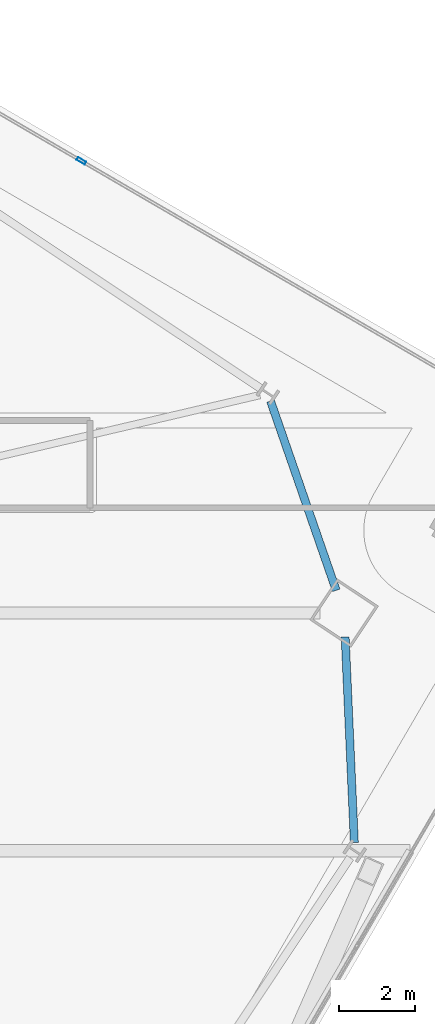
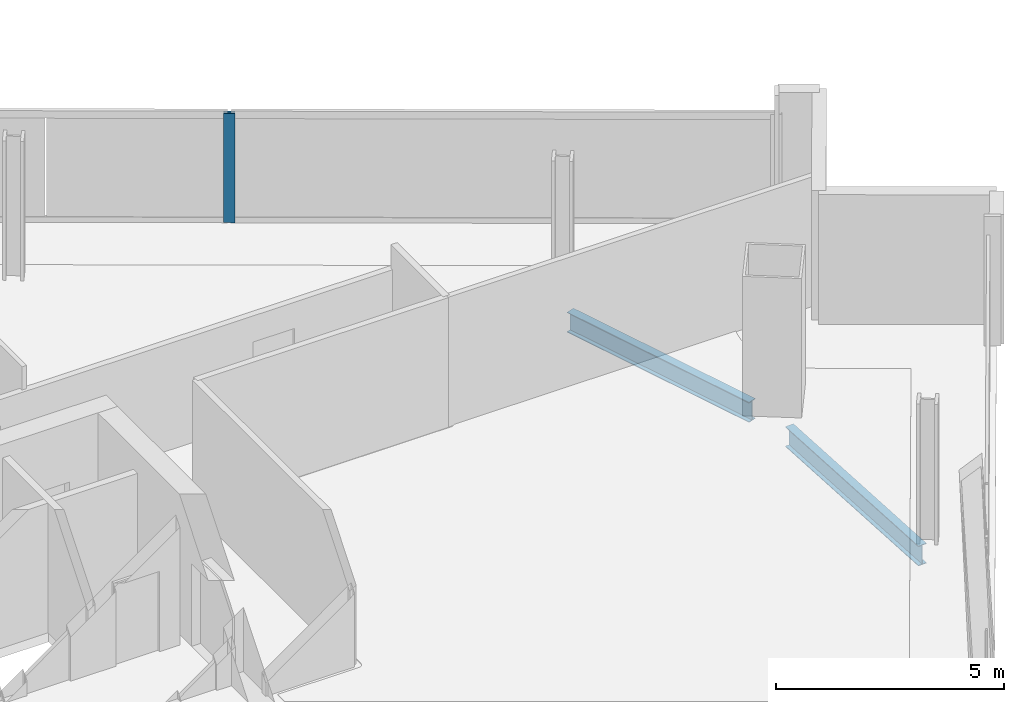
# One storey, part 17 of 29: 2 beams, 1 member, 1 element without a shape of its own.
"""IFC4 building model written with IfcOpenShell, lengths in metres."""

from ifc_helpers import new_model, si_unit, direction, frame, origin, origin_2d, place, context, subcontext, project, spatial, hollow_rectangle, i_section, extrude, material, material_profile, profile_set, type_object, element, aggregate, save


model = new_model("IFC4")

# Units and contexts
model_context = context("Model", 3, precision=1e-05, world=origin(), true_north=direction((0.0, 1.0)))
body_context = subcontext(model_context, "Body", "Model", "MODEL_VIEW")
ifc_project = project(units=[si_unit("LENGTHUNIT", "METRE"), si_unit("AREAUNIT", "SQUARE_METRE"), si_unit("VOLUMEUNIT", "CUBIC_METRE"), si_unit("PLANEANGLEUNIT", "RADIAN"), si_unit("MASSUNIT", "GRAM", prefix="KILO")], contexts=[model_context])

# Site, building, storey
site_placement = place(None, origin())
site = spatial("IfcSite", under=ifc_project, at=site_placement, CompositionType="ELEMENT")
building_placement = place(site_placement, origin())
building = spatial("IfcBuilding", under=site, at=building_placement, Name="Haldenkirk Collegiate Tower", CompositionType="ELEMENT")
storey_placement = place(building_placement, frame((0.0, 0.0, 228.449951171875)))
storey = spatial("IfcBuildingStorey", under=building, at=storey_placement, Name="L57", CompositionType="ELEMENT", Elevation=228.449951171875)

# Beams
ifc_material_1 = material(Name="Steel ASTM A992 Grade 50", Category="steel")
ifc_material_profile_1 = material_profile(ifc_material_1, i_section(OverallWidth=0.2099609375, OverallDepth=0.537109375, WebThickness=0.010986328125, FlangeThickness=0.017333984375, at=origin_2d()), Name="W21X68")
ifc_profile_set_1 = profile_set([ifc_material_profile_1], Name="Steel ASTM A992 Grade 50")
beam_type = type_object("IfcBeamType", Name="BM-SPANDREL-W21X68", PredefinedType="SPANDREL", material=ifc_profile_set_1)
beam_1_placement = place(storey_placement, frame((60.756103515625, 25.34326171875, -0.54833984375), z_axis=(-0.044622535616, 0.999003918569, 0.0), x_axis=(-0.999003918569, -0.044622535616, 0.0)))
element("IfcBeam", 1, at=beam_1_placement, inside=storey, type_object=beam_type, Name="L57 perimeter spandrel beam 04", PredefinedType="SPANDREL", context=body_context, shape_type="SweptSolid", body=[
    extrude(i_section(OverallWidth=0.2099609375, OverallDepth=0.537109375, WebThickness=0.010986328125, FlangeThickness=0.017333984375, at=origin_2d()), origin(), (0.0, 0.0, 1.0), 5.41650390625),
])
beam_2_placement = place(storey_placement, frame((60.27978515625, 31.97900390625, -0.54833984375), z_axis=(-0.327807295579, 0.944744609387, 0.0), x_axis=(-0.944744609387, -0.327807295579, 0.0)))
element("IfcBeam", 2, at=beam_2_placement, inside=storey, type_object=beam_type, Name="L57 perimeter spandrel beam 05", PredefinedType="SPANDREL", context=body_context, shape_type="SweptSolid", body=[
    extrude(i_section(OverallWidth=0.2099609375, OverallDepth=0.537109375, WebThickness=0.010986328125, FlangeThickness=0.017333984375, at=origin_2d()), origin(), (0.0, 0.0, 1.0), 5.270751953125),
])

# Curtain wall, member
ifc_material_2 = material(Name="Anodised architectural bronze aluminium", Category="aluminium")
curtain_wall_type = type_object("IfcCurtainWallType", Name="CW-SYS1B-CONVEX-HI", PredefinedType="USERDEFINED", material=ifc_material_2)
curtain_wall_placement = place(storey_placement, origin())
curtain_wall = element("IfcCurtainWall", 3, at=curtain_wall_placement, inside=storey, type_object=curtain_wall_type, Name="L57 Upper tower high-wind convex bronze unitised curtain wall", ObjectType="UNITISED CURTAIN WALL", PredefinedType="USERDEFINED")
ifc_material_profile_2 = material_profile(ifc_material_2, hollow_rectangle(XDim=0.0849609375, YDim=0.25, WallThickness=0.0048828125, at=origin_2d()), Name="CW-MUL-1B")
ifc_profile_set_2 = profile_set([ifc_material_profile_2], Name="Anodised architectural bronze aluminium")
member_type = type_object("IfcMemberType", Name="CW-MUL-1B", PredefinedType="MULLION", material=ifc_profile_set_2)
member_placement = place(storey_placement, frame((53.57470703125, 43.274169921875, 0.0), z_axis=(0.0, 0.0, 1.0), x_axis=(0.503020051603, 0.864274740858, 0.0)))
member = element("IfcMember", 4, at=member_placement, type_object=member_type, Name="CW-1B mullion 3", PredefinedType="MULLION", context=body_context, shape_type="SweptSolid", body=[
    extrude(hollow_rectangle(XDim=0.0849609375, YDim=0.25, WallThickness=0.0048828125, at=origin_2d()), origin(), (0.0, 0.0, 1.0), 2.927978515625),
])
aggregate(curtain_wall, [member])

save(model, "model.ifc")
